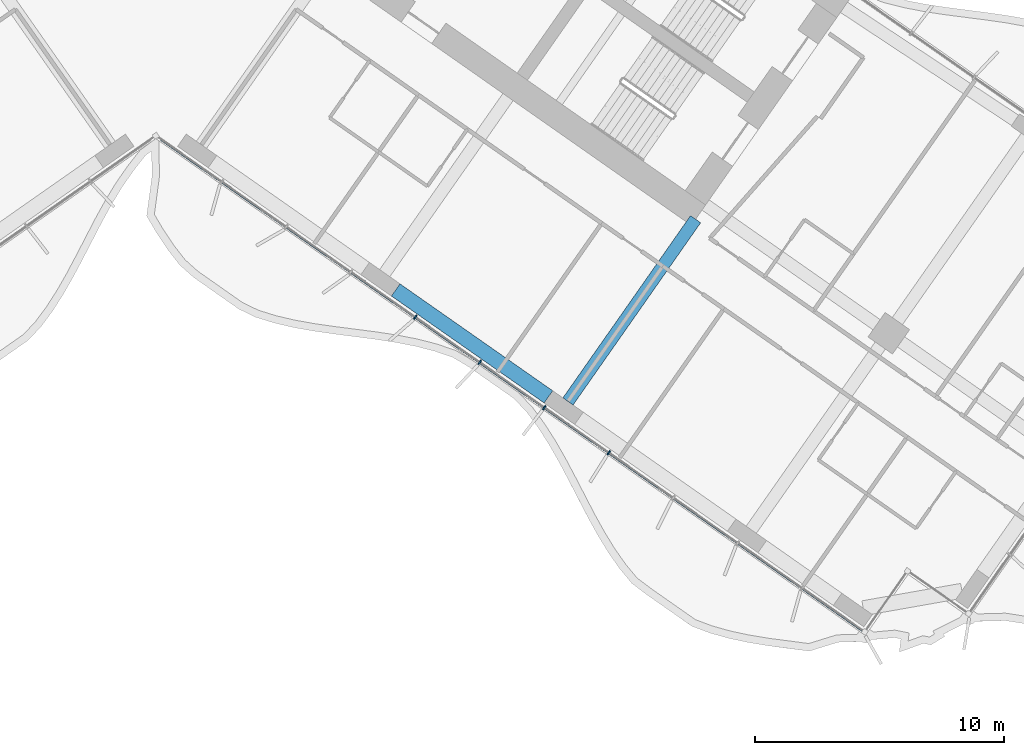
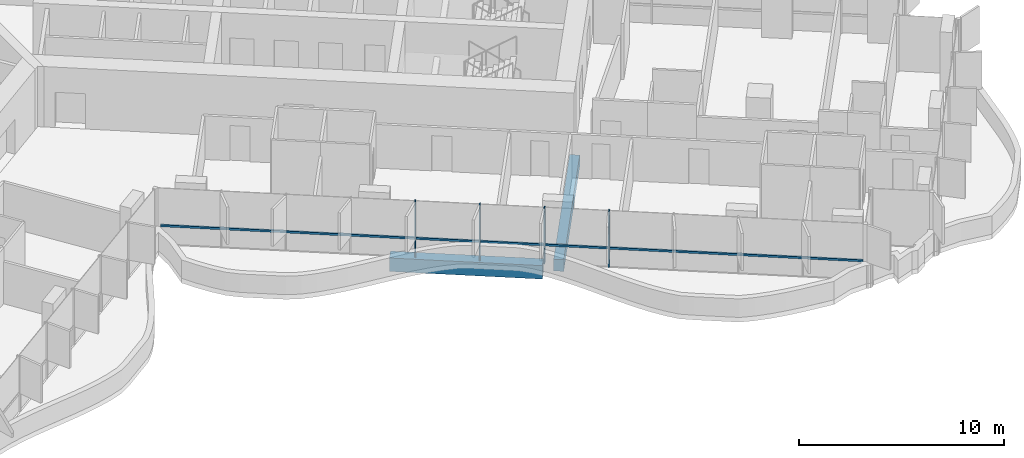
# One storey, part 5 of 23: 5 members, 2 beams, 1 element without a shape of its own.
"""IFC4 building model written with IfcOpenShell, lengths in metres."""

from ifc_helpers import new_model, si_unit, direction, frame, origin, origin_2d, place, context, subcontext, project, spatial, rectangle, extrude, material, material_profile, profile_set, type_object, element, aggregate, save


model = new_model("IFC4")

# Units and contexts
model_context = context("Model", 3, precision=1e-05, world=origin(), true_north=direction((0.0, 1.0)))
body_context = subcontext(model_context, "Body", "Model", "MODEL_VIEW")
ifc_project = project(units=[si_unit("LENGTHUNIT", "METRE"), si_unit("AREAUNIT", "SQUARE_METRE"), si_unit("VOLUMEUNIT", "CUBIC_METRE"), si_unit("PLANEANGLEUNIT", "RADIAN"), si_unit("MASSUNIT", "GRAM", prefix="KILO")], contexts=[model_context])

# Site, building, storey
site_placement = place(None, origin())
site = spatial("IfcSite", under=ifc_project, at=site_placement, CompositionType="ELEMENT")
building_placement = place(site_placement, origin())
building = spatial("IfcBuilding", under=site, at=building_placement, Name="Tel Ilan Convention Tower", CompositionType="ELEMENT")
storey_placement = place(building_placement, frame((0.0, 0.0, 83.300048828125)))
storey = spatial("IfcBuildingStorey", under=building, at=storey_placement, Name="L16", CompositionType="ELEMENT", Elevation=83.300048828125)

# Beams
ifc_material_1 = material(Name="Concrete C40/50", Category="concrete")
ifc_material_profile_1 = material_profile(ifc_material_1, rectangle(XDim=0.5, YDim=0.699951171875, at=origin_2d()), Name="RC 500x700")
ifc_profile_set_1 = profile_set([ifc_material_profile_1], Name="Concrete C40/50")
beam_type_1 = type_object("IfcBeamType", Name="Beam RC 500x700 Concrete C40/50", PredefinedType="BEAM", material=ifc_profile_set_1)
beam_1_placement = place(storey_placement, frame((16.58203125, -23.391357421875, -0.630126953125), z_axis=(0.573584999642, 0.819146048141, 0.0), x_axis=(-0.819146048141, 0.573584999642, 0.0)))
element("IfcBeam", 1, at=beam_1_placement, inside=storey, type_object=beam_type_1, Name="L16 beam E-E-F3-core", PredefinedType="BEAM", context=body_context, shape_type="SweptSolid", body=[
    extrude(rectangle(XDim=0.5, YDim=0.699951171875, at=origin_2d()), origin(), (0.0, 0.0, 1.0), 8.949951171875),
])
ifc_material_2 = material(Name="Concrete C40/50", Category="concrete")
ifc_material_profile_2 = material_profile(ifc_material_2, rectangle(XDim=0.60009765625, YDim=0.800048828125, at=origin_2d()), Name="RC 600x800")
ifc_profile_set_2 = profile_set([ifc_material_profile_2], Name="Concrete C40/50")
beam_type_2 = type_object("IfcBeamType", Name="Beam RC 600x800 Concrete C40/50", PredefinedType="BEAM", material=ifc_profile_set_2)
beam_2_placement = place(storey_placement, frame((9.652099609375, -18.905029296875, -0.679931640625), z_axis=(0.81915238829, -0.573575945067, 0.0), x_axis=(0.573575945067, 0.81915238829, 0.0)))
element("IfcBeam", 2, at=beam_2_placement, inside=storey, type_object=beam_type_2, Name="L16 beam E-E-F2-E-F3", PredefinedType="BEAM", context=body_context, shape_type="SweptSolid", body=[
    extrude(rectangle(XDim=0.60009765625, YDim=0.800048828125, at=origin_2d()), origin(), (0.0, 0.0, 1.0), 7.5),
])

# Curtain wall, members
ifc_material_3 = material(Name="Aluminium, bronze anodised", Category="aluminium")
curtain_wall_type = type_object("IfcCurtainWallType", Name="CW1 UNITISED CURTAIN WALL, HOTEL TINTED GLASS", PredefinedType="NOTDEFINED", material=ifc_material_3)
curtain_wall_placement = place(storey_placement, origin())
curtain_wall = element("IfcCurtainWall", 3, at=curtain_wall_placement, inside=storey, type_object=curtain_wall_type, Name="Curtain wall CW1-15.02", PredefinedType="NOTDEFINED")
ifc_material_4 = material(Name="Aluminium, bronze anodised", Category="aluminium")
ifc_material_profile_3 = material_profile(ifc_material_4, rectangle(XDim=0.06005859375, YDim=0.199951171875, at=origin_2d()), Name="CW MULLION 60x200")
ifc_profile_set_3 = profile_set([ifc_material_profile_3], Name="Aluminium, bronze anodised")
member_type_1 = type_object("IfcMemberType", Name="CW MULLION 60x200", PredefinedType="MULLION", material=ifc_profile_set_3)
member_1_placement = place(storey_placement, frame((10.4375, -20.004638671875, 0.0), z_axis=(0.0, 0.0, 1.0), x_axis=(0.819152044289, -0.573576436351, 0.0)))
member_1 = element("IfcMember", 4, at=member_1_placement, type_object=member_type_1, Name="Mullion", PredefinedType="MULLION", context=body_context, shape_type="SweptSolid", body=[
    extrude(rectangle(XDim=0.06005859375, YDim=0.199951171875, at=origin_2d()), origin(), (0.0, 0.0, 1.0), 3.320068359375),
])
member_2_placement = place(storey_placement, frame((13.03271484375, -21.821533203125, 0.0), z_axis=(0.0, 0.0, 1.0), x_axis=(0.819152044289, -0.573576436351, 0.0)))
member_2 = element("IfcMember", 5, at=member_2_placement, type_object=member_type_1, Name="Mullion", PredefinedType="MULLION", context=body_context, shape_type="SweptSolid", body=[
    extrude(rectangle(XDim=0.06005859375, YDim=0.199951171875, at=origin_2d()), origin(), (0.0, 0.0, 1.0), 3.320068359375),
])
member_3_placement = place(storey_placement, frame((15.627685546875, -23.638671875, 0.0), z_axis=(0.0, 0.0, 1.0), x_axis=(0.819152044289, -0.573576436351, 0.0)))
member_3 = element("IfcMember", 6, at=member_3_placement, type_object=member_type_1, Name="Mullion", PredefinedType="MULLION", context=body_context, shape_type="SweptSolid", body=[
    extrude(rectangle(XDim=0.06005859375, YDim=0.199951171875, at=origin_2d()), origin(), (0.0, 0.0, 1.0), 3.320068359375),
])
member_4_placement = place(storey_placement, frame((18.222900390625, -25.455810546875, 0.0), z_axis=(0.0, 0.0, 1.0), x_axis=(0.819152044289, -0.573576436351, 0.0)))
member_4 = element("IfcMember", 7, at=member_4_placement, type_object=member_type_1, Name="Mullion", PredefinedType="MULLION", context=body_context, shape_type="SweptSolid", body=[
    extrude(rectangle(XDim=0.06005859375, YDim=0.199951171875, at=origin_2d()), origin(), (0.0, 0.0, 1.0), 3.320068359375),
])
ifc_material_5 = material(Name="Aluminium, bronze anodised", Category="aluminium")
ifc_material_profile_4 = material_profile(ifc_material_5, rectangle(XDim=0.10009765625, YDim=0.1201171875, at=origin_2d()), Name="CW TRANSOM 100x120")
ifc_profile_set_4 = profile_set([ifc_material_profile_4], Name="Aluminium, bronze anodised")
member_type_2 = type_object("IfcMemberType", Name="CW TRANSOM 100x120", PredefinedType="USERDEFINED", material=ifc_profile_set_4)
member_5_placement = place(storey_placement, frame((0.22119140625, -12.850830078125, 1.099853515625), z_axis=(0.819151003602, -0.573577922604, 0.0), x_axis=(0.573577922604, 0.819151003602, 0.0)))
member_5 = element("IfcMember", 8, at=member_5_placement, type_object=member_type_2, Name="Transom", ObjectType="TRANSOM", PredefinedType="USERDEFINED", context=body_context, shape_type="SweptSolid", body=[
    extrude(rectangle(XDim=0.10009765625, YDim=0.1201171875, at=origin_2d()), origin(), (0.0, 0.0, 1.0), 34.447998046875),
])
aggregate(curtain_wall, [member_1, member_2, member_3, member_4, member_5])

save(model, "model.ifc")
